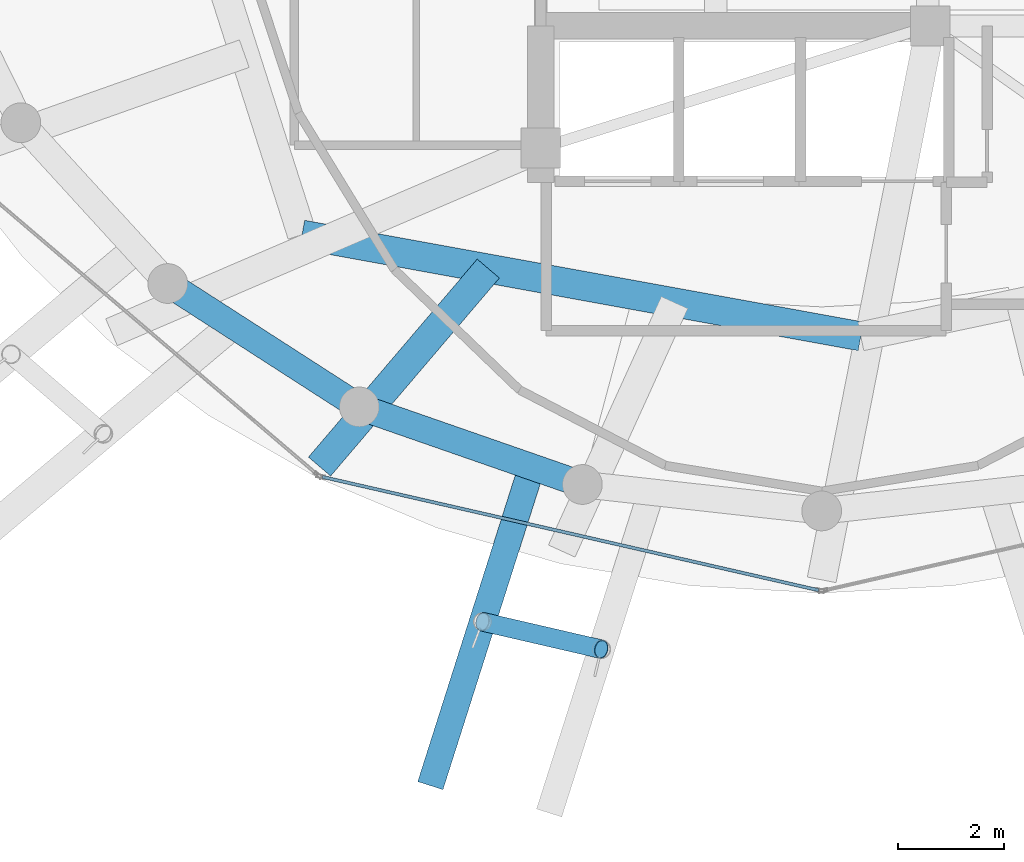
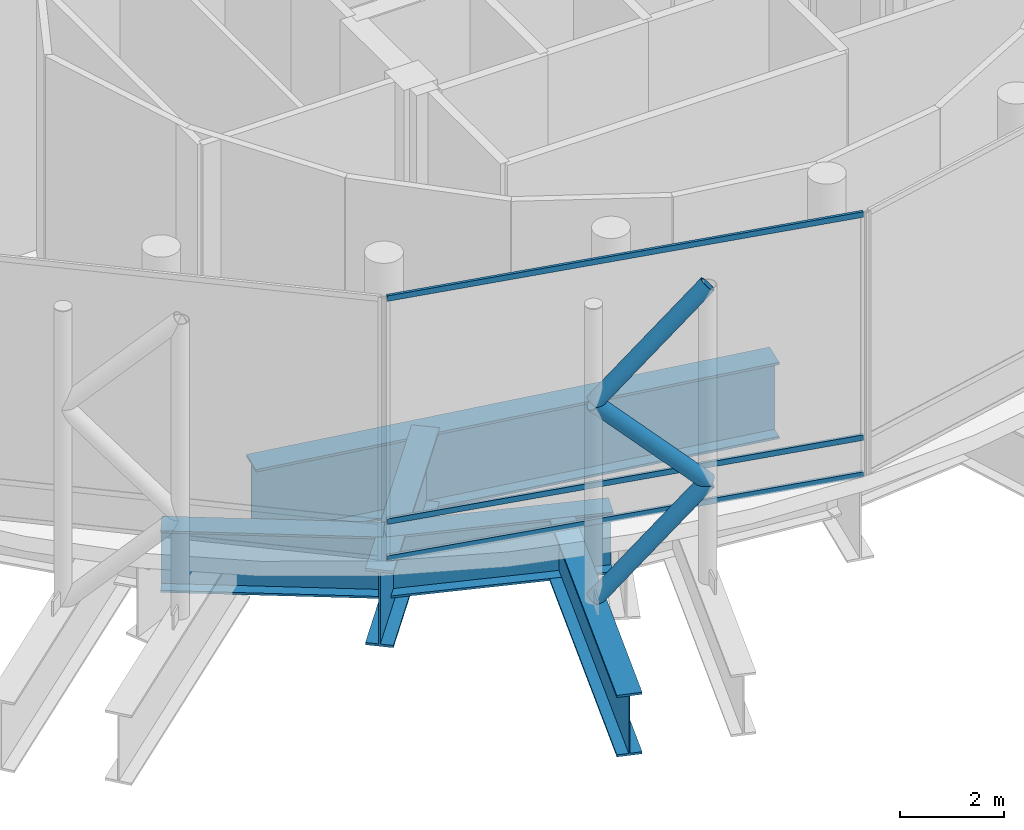
# One storey, part 3 of 26: 6 members, 5 beams, 1 element without a shape of its own.
"""IFC4 building model written with IfcOpenShell, lengths in metres."""

import ifcopenshell
import ifcopenshell.guid

model = None  # the IFC model being written
_history = None  # IfcOwnerHistory: only IFC2X3 demands one
_inside = {}  # id of a spatial element -> (the spatial element, [elements in it])
_under = {}  # id of a project, library or spatial element -> (it, [spatial elements below it])
_declared = {}  # id of a project -> (the project, [libraries it declares])
_typed = {}  # id of a type object -> (the type object, [elements of that type])
_made_of = {}  # id of a material, layer set ... -> (it, [elements and type objects made of it])


def new_model(schema):
    """Start an empty IFC model of exactly this schema.

    Asked for "IFC4X3", IfcOpenShell would pick the latest addendum, in which some entities
    have other attributes; the version numbers below select the first issue.
    IFC2X3 requires an IfcOwnerHistory on every rooted entity: one is made here for all.
    """
    global model, _history
    if schema == "IFC4X3":
        model = ifcopenshell.file(schema_version=(4, 3, 0, 0))
    else:
        model = ifcopenshell.file(schema=schema)
    _inside.clear()
    _under.clear()
    _declared.clear()
    _typed.clear()
    _made_of.clear()
    _history = None
    if model.schema == "IFC2X3":
        org = make("IfcOrganization", Name="unknown")
        user = make(
            "IfcPersonAndOrganization",
            ThePerson=make("IfcPerson", FamilyName="unknown"),
            TheOrganization=org,
        )
        app = make(
            "IfcApplication",
            ApplicationDeveloper=org,
            Version="unknown",
            ApplicationFullName="unknown",
            ApplicationIdentifier="unknown",
        )
        _history = make(
            "IfcOwnerHistory",
            OwningUser=user,
            OwningApplication=app,
            ChangeAction="ADDED",
            CreationDate=0,
        )
    return model


def make(cls, **values):
    """One entity of the class cls with the attributes given. An attribute that is None is left unset."""
    return model.create_entity(
        cls, **{name: value for name, value in values.items() if value is not None}
    )


def rooted(cls, **values):
    """An entity with a GlobalId (a new one), such as an element, a storey or a relation."""
    return make(cls, GlobalId=ifcopenshell.guid.new(), OwnerHistory=_history, **values)


def si_unit(unit_type, name, prefix=None):
    """IfcSIUnit, for example si_unit("LENGTHUNIT", "METRE", prefix="MILLI")."""
    return make("IfcSIUnit", UnitType=unit_type, Prefix=prefix, Name=name)


def assignment(units):
    """IfcUnitAssignment: the units of a project."""
    return None if units is None else make("IfcUnitAssignment", Units=units)


def point(xyz):
    """IfcCartesianPoint."""
    return None if xyz is None else make("IfcCartesianPoint", Coordinates=xyz)


def direction(xyz):
    """IfcDirection."""
    return None if xyz is None else make("IfcDirection", DirectionRatios=xyz)


def frame(location, z_axis=None, x_axis=None):
    """IfcAxis2Placement3D, a coordinate frame: its origin and axes. An axis left out is left unset."""
    return make(
        "IfcAxis2Placement3D",
        Location=point(location),
        Axis=direction(z_axis),
        RefDirection=direction(x_axis),
    )


def frame_2d(location, x_axis=None):
    """IfcAxis2Placement2D, a coordinate frame in the plane: its origin and x axis."""
    return make(
        "IfcAxis2Placement2D", Location=point(location), RefDirection=direction(x_axis)
    )


def origin():
    """The frame at (0, 0, 0) with its axes left unset."""
    return frame((0.0, 0.0, 0.0))


def origin_2d():
    """The frame at (0, 0) in the plane with its x axis left unset."""
    return frame_2d((0.0, 0.0))


def place(relative_to, where):
    """IfcLocalPlacement: puts the frame where relative to a parent placement (None: the world)."""
    return make(
        "IfcLocalPlacement", PlacementRelTo=relative_to, RelativePlacement=where
    )


def context(
    kind, dimensions, precision=None, world=None, true_north=None, identifier=None
):
    """IfcGeometricRepresentationContext, for example the 3D "Model" context."""
    return make(
        "IfcGeometricRepresentationContext",
        ContextIdentifier=identifier,
        ContextType=kind,
        CoordinateSpaceDimension=dimensions,
        Precision=precision,
        WorldCoordinateSystem=world,
        TrueNorth=true_north,
    )


def subcontext(parent, identifier, kind, view, scale=None):
    """IfcGeometricRepresentationSubContext, for example "Body" below "Model"."""
    return make(
        "IfcGeometricRepresentationSubContext",
        ContextIdentifier=identifier,
        ContextType=kind,
        ParentContext=parent,
        TargetScale=scale,
        TargetView=view,
    )


def project(units=None, contexts=None):
    """IfcProject with its units and contexts."""
    return rooted(
        "IfcProject",
        Name="project",
        RepresentationContexts=contexts,
        UnitsInContext=assignment(units),
    )


def spatial(cls, under=None, at=None, **own):
    """A site, building, storey or space (cls), placed at a placement, below another one or the project."""
    s = rooted(cls, ObjectPlacement=at, **own)
    if under is not None:
        _under.setdefault(under.id(), (under, []))[1].append(s)
    return s


def profile(cls, at=None, kind="AREA", **sizes):
    """A parametric profile (cls). Its sizes go by their IFC names, for example OverallWidth=200.0."""
    return make(cls, ProfileType=kind, Position=at, **sizes)


def hollow_rectangle(**sizes):
    """IfcRectangleHollowProfileDef."""
    return profile("IfcRectangleHollowProfileDef", **sizes)


def hollow_circle(**sizes):
    """IfcCircleHollowProfileDef."""
    return profile("IfcCircleHollowProfileDef", **sizes)


def i_section(**sizes):
    """IfcIShapeProfileDef."""
    return profile("IfcIShapeProfileDef", **sizes)


def extrude(swept, where, along, depth):
    """IfcExtrudedAreaSolid: the profile swept, set in the frame where, extruded along a direction by depth."""
    return make(
        "IfcExtrudedAreaSolid",
        SweptArea=swept,
        Position=where,
        ExtrudedDirection=direction(along),
        Depth=depth,
    )


def shape(context_of_items, identifier, shape_type, items):
    """IfcShapeRepresentation: the items that make up one representation, for example the "Body"."""
    return make(
        "IfcShapeRepresentation",
        ContextOfItems=context_of_items,
        RepresentationIdentifier=identifier,
        RepresentationType=shape_type,
        Items=items,
    )


def material(Name=None, Category=None):
    """IfcMaterial."""
    return make("IfcMaterial", Name=Name, Category=Category)


def layer(
    of_material, thickness, ventilated=None, Name=None, Category=None, Priority=None
):
    """IfcMaterialLayer: one layer of a wall or slab, of a material (None: an air gap)."""
    return make(
        "IfcMaterialLayer",
        Material=of_material,
        LayerThickness=thickness,
        IsVentilated=ventilated,
        Name=Name,
        Category=Category,
        Priority=Priority,
    )


def layer_set(layers, Name=None):
    """IfcMaterialLayerSet."""
    return make("IfcMaterialLayerSet", MaterialLayers=layers, LayerSetName=Name)


def material_profile(
    of_material, cross_section, Name=None, Category=None, Priority=None
):
    """IfcMaterialProfile: a cross section and its material."""
    return make(
        "IfcMaterialProfile",
        Name=Name,
        Material=of_material,
        Profile=cross_section,
        Priority=Priority,
        Category=Category,
    )


def profile_set(profiles, Name=None, composite=None):
    """IfcMaterialProfileSet."""
    return make(
        "IfcMaterialProfileSet",
        Name=Name,
        MaterialProfiles=profiles,
        CompositeProfile=composite,
    )


def made_of(thing, what):
    """Note that an element or type object is made of a material, layer set ...; save() writes the relation."""
    if what is not None:
        _made_of.setdefault(what.id(), (what, []))[1].append(thing)
    return thing


def type_object(cls, material=None, **own):
    """A type object (cls), such as IfcWallType, which elements share."""
    return made_of(rooted(cls, **own), material)


def element(
    cls,
    number,
    at=None,
    inside=None,
    cuts=None,
    type_object=None,
    material=None,
    context=None,
    identifier="Body",
    shape_type=None,
    held_by="IfcProductDefinitionShape",
    body=None,
    shapes=None,
    **own,
):
    """One element of the class cls, such as IfcWall. Its Tag is "e" and its number.

    at: its placement. inside: the storey or other place that contains it. cuts: it is an
    opening in that element (IfcRelVoidsElement). A single representation is given by context,
    identifier, shape_type and body (its items); several are given by shapes. held_by: the class
    of the entity that holds the representations. save() writes the other relations.
    """
    e = rooted(cls, Tag="e%d" % number, ObjectPlacement=at, **own)
    if body is not None:
        shapes = [shape(context, identifier, shape_type, body)]
    if shapes is not None:
        e.Representation = make(held_by, Representations=shapes)
    if inside is not None:
        _inside.setdefault(inside.id(), (inside, []))[1].append(e)
    if cuts is not None:
        rooted(
            "IfcRelVoidsElement", RelatingBuildingElement=cuts, RelatedOpeningElement=e
        )
    if type_object is not None:
        _typed.setdefault(type_object.id(), (type_object, []))[1].append(e)
    return made_of(e, material)


def aggregate(whole, parts):
    """IfcRelAggregates: a whole, such as a stair, and the parts it consists of."""
    return rooted("IfcRelAggregates", RelatingObject=whole, RelatedObjects=parts)


def save(model, path):
    """Write the relations noted so far, then the file.

    IfcRelAggregates (storeys below a building ...), IfcRelContainedInSpatialStructure (elements
    in a storey), IfcRelDefinesByType, IfcRelAssociatesMaterial and IfcRelDeclares: one each for
    every whole, place, type object, material and project.
    """
    for whole, parts in _under.values():
        aggregate(whole, parts)
    for where, things in _inside.values():
        rooted(
            "IfcRelContainedInSpatialStructure",
            RelatedElements=things,
            RelatingStructure=where,
        )
    for kind, things in _typed.values():
        rooted("IfcRelDefinesByType", RelatedObjects=things, RelatingType=kind)
    for what, things in _made_of.values():
        rooted("IfcRelAssociatesMaterial", RelatedObjects=things, RelatingMaterial=what)
    for by, libraries in _declared.values():
        rooted("IfcRelDeclares", RelatingContext=by, RelatedDefinitions=libraries)
    model.write(path)


model = new_model("IFC4")

# Units and contexts
model_context = context("Model", 3, precision=1e-05, world=origin(), true_north=direction((0.0, 1.0)))
body_context = subcontext(model_context, "Body", "Model", "MODEL_VIEW")
ifc_project = project(units=[si_unit("LENGTHUNIT", "METRE"), si_unit("AREAUNIT", "SQUARE_METRE"), si_unit("VOLUMEUNIT", "CUBIC_METRE"), si_unit("PLANEANGLEUNIT", "RADIAN"), si_unit("MASSUNIT", "GRAM", prefix="KILO")], contexts=[model_context])

# Site, building, storey
site_placement = place(None, origin())
site = spatial("IfcSite", under=ifc_project, at=site_placement, CompositionType="ELEMENT")
building_placement = place(site_placement, origin())
building = spatial("IfcBuilding", under=site, at=building_placement, Name="Nuhasar Tower", CompositionType="ELEMENT")
storey_placement = place(building_placement, frame((0.0, 0.0, 306.800048828125)))
storey = spatial("IfcBuildingStorey", under=building, at=storey_placement, Name="L76", CompositionType="ELEMENT", Elevation=306.800048828125)

# Beams
ifc_material_1 = material(Name="Steel S460", Category="steel")
ifc_material_profile_1 = material_profile(ifc_material_1, i_section(OverallWidth=0.5, OverallDepth=1.449951171875, WebThickness=0.028076171875, FlangeThickness=0.050048828125, at=origin_2d()), Name="PG1450X500")
ifc_profile_set_1 = profile_set([ifc_material_profile_1], Name="Steel S460")
beam_type_1 = type_object("IfcBeamType", Name="BM-XFER-PG1450", PredefinedType="USERDEFINED", material=ifc_profile_set_1)
beam_1_placement = place(storey_placement, frame((26.660888671875, 16.44091796875, -1.074951171875), z_axis=(0.840692841322, -0.541512277377, 0.0), x_axis=(0.541512277377, 0.840692841322, 0.0)))
element("IfcBeam", 1, at=beam_1_placement, inside=storey, type_object=beam_type_1, Name="L76 Perimeter Ring Spandrel 16", ObjectType="GIRDER", PredefinedType="USERDEFINED", context=body_context, shape_type="SweptSolid", body=[
    extrude(i_section(OverallWidth=0.5, OverallDepth=1.449951171875, WebThickness=0.028076171875, FlangeThickness=0.050048828125, at=origin_2d()), origin(), (0.0, 0.0, 1.0), 4.298828125),
])
beam_2_placement = place(storey_placement, frame((30.27490234375, 14.113037109375, -1.074951171875), z_axis=(0.944488666475, -0.328543998425, 0.0), x_axis=(0.328543998425, 0.944488666475, 0.0)))
element("IfcBeam", 2, at=beam_2_placement, inside=storey, type_object=beam_type_1, Name="L76 Perimeter Ring Spandrel 17", ObjectType="GIRDER", PredefinedType="USERDEFINED", context=body_context, shape_type="SweptSolid", body=[
    extrude(i_section(OverallWidth=0.5, OverallDepth=1.449951171875, WebThickness=0.028076171875, FlangeThickness=0.050048828125, at=origin_2d()), origin(), (0.0, 0.0, 1.0), 4.456298828125),
])
beam_3_placement = place(storey_placement, frame((33.530029296875, 12.98095703125, -1.074951171875), z_axis=(-0.303281895018, -0.95290088265, 0.0), x_axis=(0.95290088265, -0.303281895018, 0.0)))
element("IfcBeam", 3, at=beam_3_placement, inside=storey, type_object=beam_type_1, Name="L76 Exoskeleton Step Transfer Girder 17", ObjectType="GIRDER", PredefinedType="USERDEFINED", context=body_context, shape_type="SweptSolid", body=[
    extrude(i_section(OverallWidth=0.5, OverallDepth=1.449951171875, WebThickness=0.028076171875, FlangeThickness=0.050048828125, at=origin_2d()), origin(), (0.0, 0.0, 1.0), 6.311279296875),
])
ifc_material_profile_2 = material_profile(ifc_material_1, i_section(OverallWidth=0.550048828125, OverallDepth=1.800048828125, WebThickness=0.031982421875, FlangeThickness=0.054931640625, at=origin_2d()), Name="PG1800X550")
ifc_profile_set_2 = profile_set([ifc_material_profile_2], Name="Steel S460")
beam_type_2 = type_object("IfcBeamType", Name="BM-XFER-PG1800", PredefinedType="USERDEFINED", material=ifc_profile_set_2)
beam_4_placement = place(storey_placement, frame((29.195068359375, 17.362060546875, -1.25), z_axis=(0.983852408204, -0.178981671889, 0.0), x_axis=(0.178981671889, 0.983852408204, 0.0)))
element("IfcBeam", 4, at=beam_4_placement, inside=storey, type_object=beam_type_2, Name="L76 Inner Header Beam 01", ObjectType="GIRDER", PredefinedType="USERDEFINED", context=body_context, shape_type="SweptSolid", body=[
    extrude(i_section(OverallWidth=0.550048828125, OverallDepth=1.800048828125, WebThickness=0.031982421875, FlangeThickness=0.054931640625, at=origin_2d()), origin(), (0.0, 0.0, 1.0), 10.716064453125),
])
beam_5_placement = place(storey_placement, frame((32.708984375, 16.722900390625, -1.25), z_axis=(-0.648667119797, -0.761072248669, 0.0), x_axis=(0.761072248669, -0.648667119797, 0.0)))
element("IfcBeam", 5, at=beam_5_placement, inside=storey, type_object=beam_type_2, Name="L76 Inner Column Transfer Girder 17", ObjectType="GIRDER", PredefinedType="USERDEFINED", context=body_context, shape_type="SweptSolid", body=[
    extrude(i_section(OverallWidth=0.550048828125, OverallDepth=1.800048828125, WebThickness=0.031982421875, FlangeThickness=0.054931640625, at=origin_2d()), origin(), (0.0, 0.0, 1.0), 4.90869140625),
])

# Curtain wall, members
ifc_material_2 = material(Name="Aluminium 6063-T6", Category="aluminium")
ifc_layer = layer(ifc_material_2, 0.239990234375)
ifc_layer_set = layer_set([ifc_layer], Name="Aluminium 6063-T6")
curtain_wall_type = type_object("IfcCurtainWallType", Name="CW-SKY-LBY", PredefinedType="NOTDEFINED", material=ifc_layer_set)
curtain_wall_placement = place(storey_placement, origin())
curtain_wall = element("IfcCurtainWall", 6, at=curtain_wall_placement, inside=storey, type_object=curtain_wall_type, Name="L76 Unitised Curtain Wall 09", PredefinedType="NOTDEFINED")
ifc_material_profile_3 = material_profile(ifc_material_2, hollow_rectangle(XDim=0.06005859375, YDim=0.1298828125, WallThickness=0.00439453125, at=origin_2d()), Name="CWT-6")
ifc_profile_set_3 = profile_set([ifc_material_profile_3], Name="Aluminium 6063-T6")
member_type_1 = type_object("IfcMemberType", Name="CW-TRN-S6", PredefinedType="USERDEFINED", material=ifc_profile_set_3)
member_1_placement = place(storey_placement, frame((29.57861328125, 12.791748046875, 0.030029296875), z_axis=(0.974895569485, -0.22266258913, 0.0), x_axis=(0.22266258913, 0.974895569485, 0.0)))
member_1 = element("IfcMember", 7, at=member_1_placement, type_object=member_type_1, Name="CW-SL transom 1.1", ObjectType="TRANSOM", PredefinedType="USERDEFINED", context=body_context, shape_type="SweptSolid", body=[
    extrude(hollow_rectangle(XDim=0.06005859375, YDim=0.1298828125, WallThickness=0.00439453125, at=origin_2d()), origin(), (0.0, 0.0, 1.0), 9.60400390625),
])
member_2_placement = place(storey_placement, frame((29.57861328125, 12.791748046875, 0.89990234375), z_axis=(0.974895569485, -0.22266258913, 0.0), x_axis=(0.22266258913, 0.974895569485, 0.0)))
member_2 = element("IfcMember", 8, at=member_2_placement, type_object=member_type_1, Name="CW-SL transom 1.2", ObjectType="TRANSOM", PredefinedType="USERDEFINED", context=body_context, shape_type="SweptSolid", body=[
    extrude(hollow_rectangle(XDim=0.06005859375, YDim=0.1298828125, WallThickness=0.00439453125, at=origin_2d()), origin(), (0.0, 0.0, 1.0), 9.60400390625),
])
member_3_placement = place(storey_placement, frame((29.57861328125, 12.791748046875, 6.14990234375), z_axis=(0.974895569485, -0.22266258913, 0.0), x_axis=(0.22266258913, 0.974895569485, 0.0)))
member_3 = element("IfcMember", 9, at=member_3_placement, type_object=member_type_1, Name="CW-SL transom 1.3", ObjectType="TRANSOM", PredefinedType="USERDEFINED", context=body_context, shape_type="SweptSolid", body=[
    extrude(hollow_rectangle(XDim=0.06005859375, YDim=0.1298828125, WallThickness=0.00439453125, at=origin_2d()), origin(), (0.0, 0.0, 1.0), 9.60400390625),
])
aggregate(curtain_wall, [member_1, member_2, member_3])

# Members
ifc_material_profile_4 = material_profile(ifc_material_1, hollow_circle(Radius=0.177734375, WallThickness=0.015869140625, at=origin_2d()), Name="HSS355.6X15.9")
ifc_profile_set_4 = profile_set([ifc_material_profile_4], Name="Steel S460")
member_type_2 = type_object("IfcMemberType", Name="EXO-BRONZE-356", PredefinedType="BRACE", material=ifc_profile_set_4)
member_4_placement = place(storey_placement, frame((32.60009765625, 10.05908203125, -0.35009765625), z_axis=(0.68638516561, -0.158678431357, 0.709715830352), x_axis=(0.225239345014, 0.974303462715, 0.0)))
element("IfcMember", 10, at=member_4_placement, inside=storey, type_object=member_type_2, Name="L76 Bronze Diagrid Brace W1-09", PredefinedType="BRACE", context=body_context, shape_type="SweptSolid", body=[
    extrude(hollow_circle(Radius=0.177734375, WallThickness=0.015869140625, at=origin_2d()), origin(), (0.0, 0.0, 1.0), 3.264892578125),
])
member_5_placement = place(storey_placement, frame((34.841064453125, 9.541015625, 1.967041015625), z_axis=(-0.686567325751, 0.158720543114, 0.709530194146), x_axis=(-0.225239345014, -0.974303462715, 0.0)))
element("IfcMember", 11, at=member_5_placement, inside=storey, type_object=member_type_2, Name="L76 Bronze Diagrid Brace W2-09", PredefinedType="BRACE", context=body_context, shape_type="SweptSolid", body=[
    extrude(hollow_circle(Radius=0.177734375, WallThickness=0.015869140625, at=origin_2d()), origin(), (0.0, 0.0, 1.0), 3.263916015625),
])
member_6_placement = place(storey_placement, frame((32.60009765625, 10.05908203125, 4.282958984375), z_axis=(0.686421593716, -0.158686852802, 0.709678714932), x_axis=(0.225239345014, 0.974303462715, 0.0)))
element("IfcMember", 12, at=member_6_placement, inside=storey, type_object=member_type_2, Name="L76 Bronze Diagrid Brace W3-09", PredefinedType="BRACE", context=body_context, shape_type="SweptSolid", body=[
    extrude(hollow_circle(Radius=0.177734375, WallThickness=0.015869140625, at=origin_2d()), origin(), (0.0, 0.0, 1.0), 3.2646484375),
])

save(model, "model.ifc")
